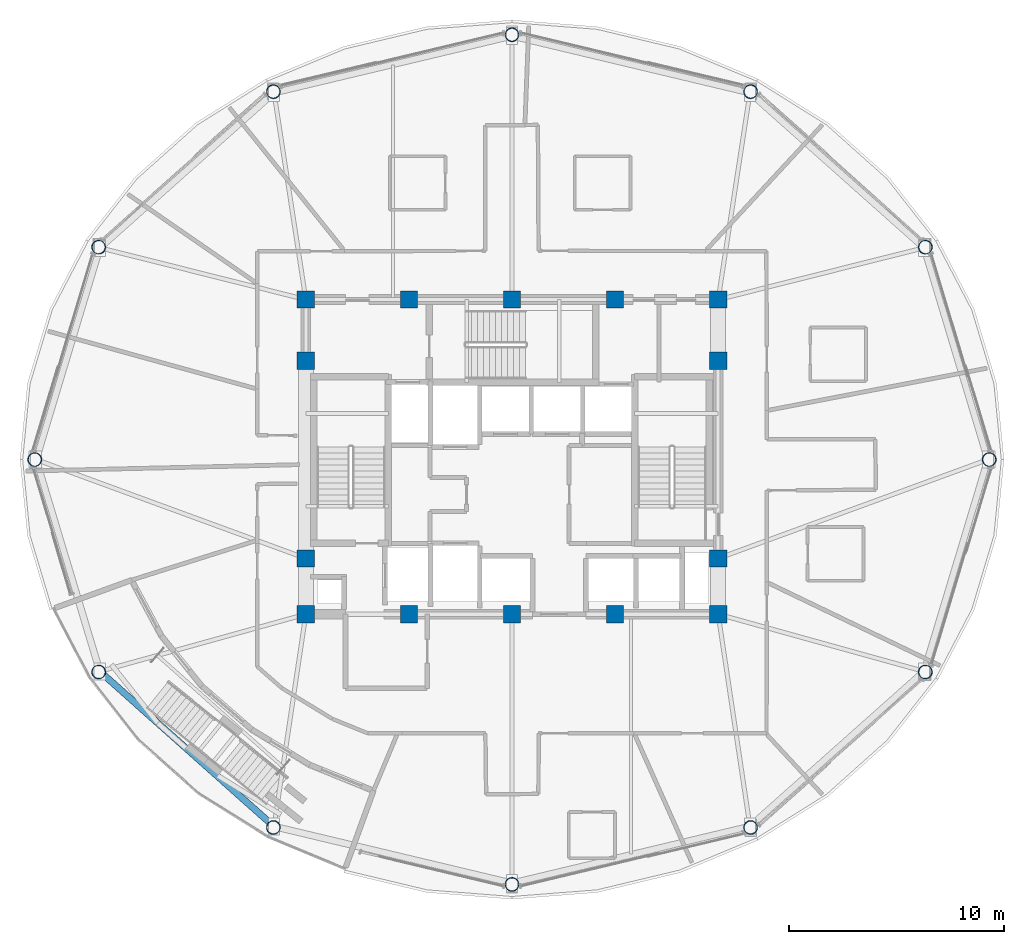
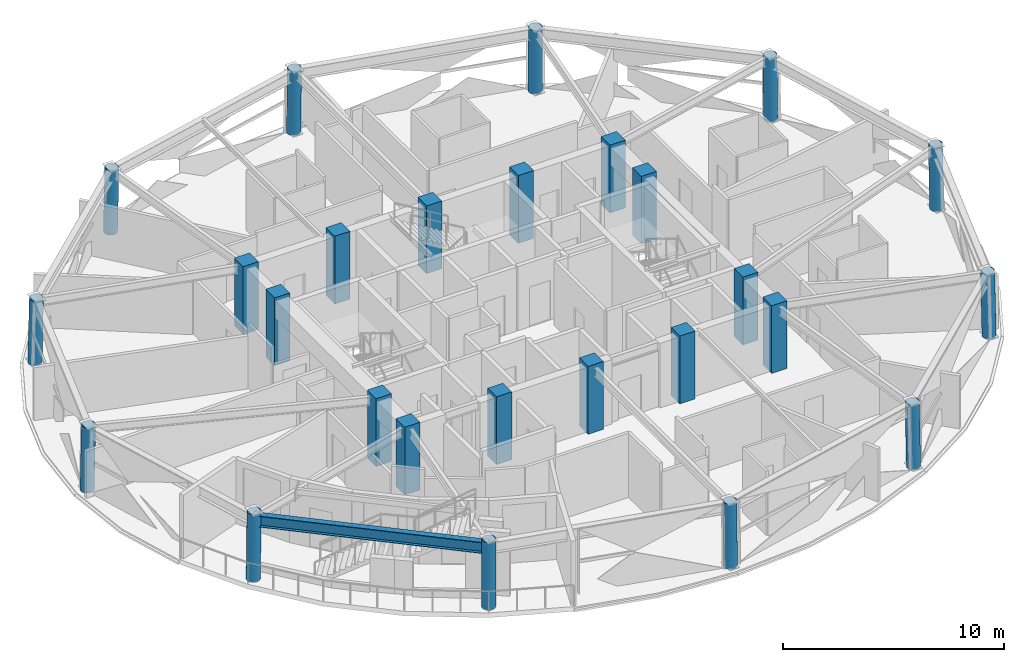
# One storey, part 1 of 17: 26 columns, 1 beam.
"""IFC4 building model written with IfcOpenShell, lengths in metres."""

from ifc_helpers import new_model, si_unit, direction, frame, origin, origin_2d, place, context, subcontext, project, spatial, rectangle, hollow_circle, i_section, extrude, material, material_profile, profile_set, type_object, element, save


model = new_model("IFC4")

# Units and contexts
model_context = context("Model", 3, precision=1e-05, world=origin(), true_north=direction((0.0, 1.0)))
body_context = subcontext(model_context, "Body", "Model", "MODEL_VIEW")
ifc_project = project(units=[si_unit("LENGTHUNIT", "METRE"), si_unit("AREAUNIT", "SQUARE_METRE"), si_unit("VOLUMEUNIT", "CUBIC_METRE"), si_unit("PLANEANGLEUNIT", "RADIAN"), si_unit("MASSUNIT", "GRAM", prefix="KILO")], contexts=[model_context])

# Site, building, storey
site_placement = place(None, origin())
site = spatial("IfcSite", under=ifc_project, at=site_placement, CompositionType="ELEMENT")
building_placement = place(site_placement, origin())
building = spatial("IfcBuilding", under=site, at=building_placement, Name="Vantalir Tower", CompositionType="ELEMENT")
storey_placement = place(building_placement, frame((0.0, 0.0, 208.64990234375)))
storey = spatial("IfcBuildingStorey", under=building, at=storey_placement, Name="L52", CompositionType="ELEMENT", Elevation=208.64990234375)

# Columns
ifc_material_1 = material(Name="Concrete C50/60", Category="concrete")
ifc_material_profile_1 = material_profile(ifc_material_1, rectangle(XDim=0.800048828125, YDim=0.800048828125, at=origin_2d()), Name="Concrete C50/60")
ifc_profile_set_1 = profile_set([ifc_material_profile_1], Name="Concrete C50/60")
column_type_1 = type_object("IfcColumnType", Name="COL-CC-800", PredefinedType="COLUMN", material=ifc_profile_set_1)
for number, where, z_axis, x_axis, name in (
    (1, (21.89990234375, 17.800048828125, 0.0), (0.0, 0.0, 1.0), (1.0, 0.0, 0.0), "L52 Core Column CC01"),
    (2, (26.699951171875, 17.800048828125, 0.0), (0.0, 0.0, 1.0), (1.0, 0.0, 0.0), "L52 Core Column CC02"),
    (3, (31.5, 17.800048828125, 0.0), (0.0, 0.0, 1.0), (1.0, 0.0, 0.0), "L52 Core Column CC03"),
    (4, (36.300048828125, 17.800048828125, 0.0), (0.0, 0.0, 1.0), (1.0, 0.0, 0.0), "L52 Core Column CC04"),
    (5, (41.10009765625, 17.800048828125, 0.0), (0.0, 0.0, 1.0), (1.0, 0.0, 0.0), "L52 Core Column CC05"),
    (6, (21.89990234375, 20.39990234375, 0.0), (0.0, 0.0, 1.0), (1.0, 0.0, 0.0), "L52 Core Column CC06"),
    (7, (21.89990234375, 29.60009765625, 0.0), (0.0, 0.0, 1.0), (1.0, 0.0, 0.0), "L52 Core Column CC07"),
    (8, (41.10009765625, 20.39990234375, 0.0), (0.0, 0.0, 1.0), (1.0, 0.0, 0.0), "L52 Core Column CC08"),
    (9, (41.10009765625, 29.60009765625, 0.0), (0.0, 0.0, 1.0), (1.0, 0.0, 0.0), "L52 Core Column CC09"),
    (10, (21.89990234375, 32.449951171875, 0.0), (0.0, 0.0, 1.0), (1.0, 0.0, 0.0), "L52 Core Column CC10"),
    (11, (26.699951171875, 32.449951171875, 0.0), (0.0, 0.0, 1.0), (1.0, 0.0, 0.0), "L52 Core Column CC11"),
    (12, (31.5, 32.449951171875, 0.0), (0.0, 0.0, 1.0), (1.0, 0.0, 0.0), "L52 Core Column CC12"),
    (13, (36.300048828125, 32.449951171875, 0.0), (0.0, 0.0, 1.0), (1.0, 0.0, 0.0), "L52 Core Column CC13"),
    (14, (41.10009765625, 32.449951171875, 0.0), (0.0, 0.0, 1.0), (1.0, 0.0, 0.0), "L52 Core Column CC14"),
):
    element("IfcColumn", number, at=place(storey_placement, frame(where, z_axis=z_axis, x_axis=x_axis)), inside=storey, type_object=column_type_1, Name=name, PredefinedType="COLUMN", context=body_context, shape_type="SweptSolid", body=[
        extrude(rectangle(XDim=0.800048828125, YDim=0.800048828125, at=origin_2d()), origin(), (0.0, 0.0, 1.0), 3.75),
    ])
ifc_material_2 = material(Name="Steel S460", Category="steel")
ifc_material_profile_2 = material_profile(ifc_material_2, hollow_circle(Radius=0.324951171875, WallThickness=0.030029296875, at=origin_2d()), Name="Steel S460")
ifc_profile_set_2 = profile_set([ifc_material_profile_2], Name="Steel S460")
column_type_2 = type_object("IfcColumnType", Name="COL-RC-650", PredefinedType="COLUMN", material=ifc_profile_set_2)
for number, where, z_axis, x_axis, name in (
    (15, (53.73388671875, 25.0, 0.0), (-0.020442967598, 0.0, 0.999791020702), (0.0, -1.0, 0.0), "L52 Perimeter Ring Column RC01"),
    (16, (50.7548828125, 34.89599609375, 0.0), (-0.017639941459, -0.009230201926, 0.999801798277), (0.463621974123, -0.886033106103, 0.0), "L52 Perimeter Ring Column RC02"),
    (17, (42.616943359375, 42.14111328125, 0.0), (-0.010324326306, -0.015999287123, 0.999818699114), (0.84024387737, -0.542208655909, 0.0), "L52 Perimeter Ring Column RC03"),
):
    element("IfcColumn", number, at=place(storey_placement, frame(where, z_axis=z_axis, x_axis=x_axis)), inside=storey, type_object=column_type_2, Name=name, PredefinedType="COLUMN", context=body_context, shape_type="SweptSolid", body=[
        extrude(hollow_circle(Radius=0.324951171875, WallThickness=0.030029296875, at=origin_2d()), origin(), (0.0, 0.0, 1.0), 3.57080078125),
    ])
column_1_placement = place(storey_placement, frame((31.5, 44.79296875, 0.0), z_axis=(0.0, -0.018460916867, 0.999829582753), x_axis=(1.0, 0.0, 0.0)))
element("IfcColumn", 18, at=column_1_placement, inside=storey, type_object=column_type_2, Name="L52 Perimeter Ring Column RC04", PredefinedType="COLUMN", context=body_context, shape_type="SweptSolid", body=[
    extrude(hollow_circle(Radius=0.324951171875, WallThickness=0.030029296875, at=origin_2d()), origin(), (0.0, 0.0, 1.0), 3.570556640625),
])
for number, where, z_axis, x_axis, name in (
    (19, (20.383056640625, 42.14111328125, 0.0), (0.010324326306, -0.015999287123, 0.999818699114), (0.84024387737, 0.542208655909, 0.0), "L52 Perimeter Ring Column RC05"),
    (20, (12.2451171875, 34.89599609375, 0.0), (0.017639941459, -0.009230201926, 0.999801798277), (0.463621974123, 0.886033106103, 0.0), "L52 Perimeter Ring Column RC06"),
    (21, (9.26611328125, 25.0, 0.0), (0.020442967598, 0.0, 0.999791020702), (0.0, 1.0, 0.0), "L52 Perimeter Ring Column RC07"),
):
    element("IfcColumn", number, at=place(storey_placement, frame(where, z_axis=z_axis, x_axis=x_axis)), inside=storey, type_object=column_type_2, Name=name, PredefinedType="COLUMN", context=body_context, shape_type="SweptSolid", body=[
        extrude(hollow_circle(Radius=0.324951171875, WallThickness=0.030029296875, at=origin_2d()), origin(), (0.0, 0.0, 1.0), 3.57080078125),
    ])
for number, where, z_axis, x_axis, name in (
    (22, (12.2451171875, 15.10302734375, 0.0), (0.016910515663, 0.008848525638, 0.999817852438), (-0.463621974123, 0.886033106103, 0.0), "L52 Perimeter Ring Column RC08"),
    (23, (20.383056640625, 7.85888671875, 0.0), (0.009635235603, 0.01533772198, 0.999835944803), (-0.846776270945, 0.53194919585, 0.0), "L52 Perimeter Ring Column RC09"),
):
    element("IfcColumn", number, at=place(storey_placement, frame(where, z_axis=z_axis, x_axis=x_axis)), inside=storey, type_object=column_type_2, Name=name, PredefinedType="COLUMN", context=body_context, shape_type="SweptSolid", body=[
        extrude(hollow_circle(Radius=0.324951171875, WallThickness=0.030029296875, at=origin_2d()), origin(), (0.0, 0.0, 1.0), 3.724853515625),
    ])
column_2_placement = place(storey_placement, frame((31.5, 5.20703125, 0.0), z_axis=(0.0, 0.018460916867, 0.999829582753), x_axis=(-1.0, 0.0, 0.0)))
element("IfcColumn", 24, at=column_2_placement, inside=storey, type_object=column_type_2, Name="L52 Perimeter Ring Column RC10", PredefinedType="COLUMN", context=body_context, shape_type="SweptSolid", body=[
    extrude(hollow_circle(Radius=0.324951171875, WallThickness=0.030029296875, at=origin_2d()), origin(), (0.0, 0.0, 1.0), 3.570556640625),
])
for number, where, z_axis, x_axis, name in (
    (25, (42.616943359375, 7.85888671875, 0.0), (-0.010324326306, 0.015999287123, 0.999818699114), (-0.84024387737, -0.542208655909, 0.0), "L52 Perimeter Ring Column RC11"),
    (26, (50.7548828125, 15.10302734375, 0.0), (-0.017639941459, 0.009230201926, 0.999801798277), (-0.463621974123, -0.886033106103, 0.0), "L52 Perimeter Ring Column RC12"),
):
    element("IfcColumn", number, at=place(storey_placement, frame(where, z_axis=z_axis, x_axis=x_axis)), inside=storey, type_object=column_type_2, Name=name, PredefinedType="COLUMN", context=body_context, shape_type="SweptSolid", body=[
        extrude(hollow_circle(Radius=0.324951171875, WallThickness=0.030029296875, at=origin_2d()), origin(), (0.0, 0.0, 1.0), 3.57080078125),
    ])

# Beam
ifc_material_profile_3 = material_profile(ifc_material_2, i_section(OverallWidth=0.306884765625, OverallDepth=0.6201171875, WebThickness=0.01416015625, FlangeThickness=0.023681640625, at=origin_2d()), Name="Steel S460")
ifc_profile_set_3 = profile_set([ifc_material_profile_3], Name="Steel S460")
beam_type = type_object("IfcBeamType", Name="BM-RG-610x305", PredefinedType="USERDEFINED", material=ifc_profile_set_3)
beam_placement = place(storey_placement, frame((12.30810546875, 15.135986328125, 3.260009765625), z_axis=(0.746936517422, -0.664895359392, 0.0), x_axis=(0.664895359392, 0.746936517422, 0.0)))
element("IfcBeam", 27, at=beam_placement, inside=storey, type_object=beam_type, Name="L52 Circumferential Ring Girder 08", ObjectType="GIRDER", PredefinedType="USERDEFINED", context=body_context, shape_type="SweptSolid", body=[
    extrude(i_section(OverallWidth=0.306884765625, OverallDepth=0.6201171875, WebThickness=0.01416015625, FlangeThickness=0.023681640625, at=origin_2d()), origin(), (0.0, 0.0, 1.0), 10.85888671875),
])

save(model, "model.ifc")
